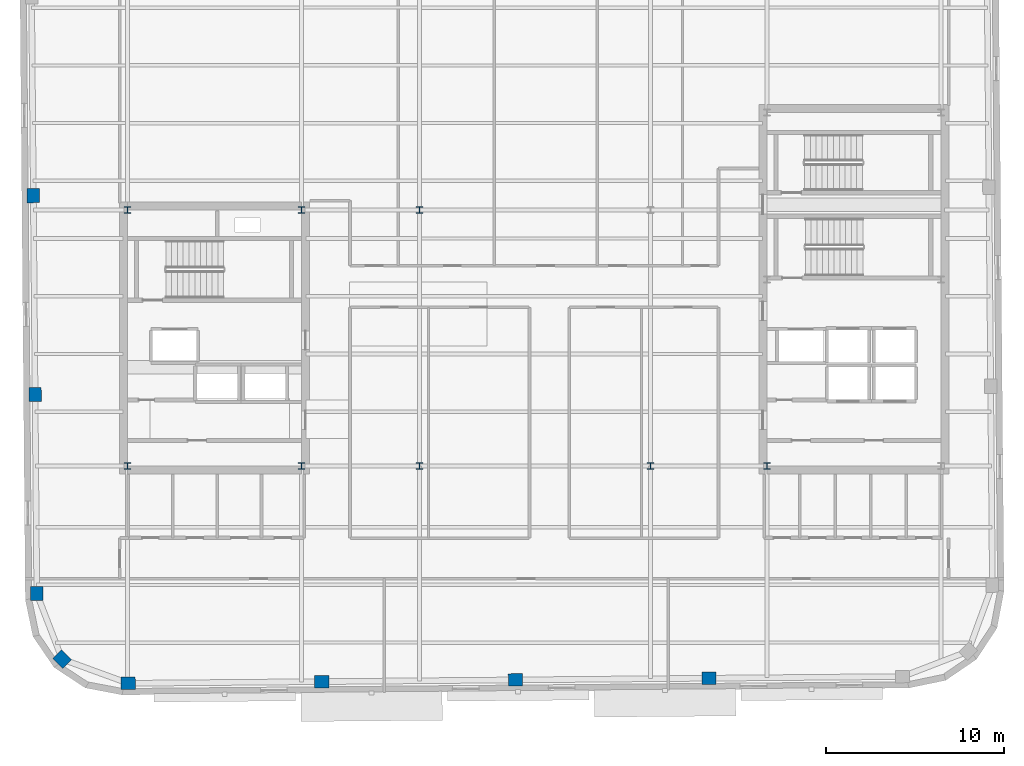
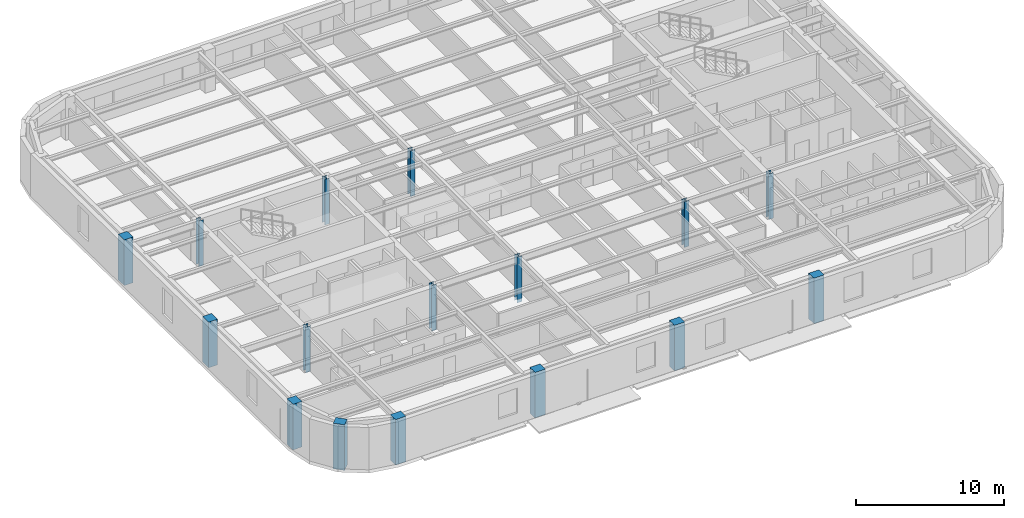
# One storey, part 1 of 13: 16 columns.
"""IFC4 building model written with IfcOpenShell, lengths in metres."""

from ifc_helpers import new_model, si_unit, direction, frame, origin, origin_2d, place, context, subcontext, project, spatial, rectangle, i_section, extrude, material, material_profile, profile_set, type_object, element, save


model = new_model("IFC4")

# Units and contexts
model_context = context("Model", 3, precision=1e-05, world=origin(), true_north=direction((0.0, 1.0)))
body_context = subcontext(model_context, "Body", "Model", "MODEL_VIEW")
ifc_project = project(units=[si_unit("LENGTHUNIT", "METRE"), si_unit("AREAUNIT", "SQUARE_METRE"), si_unit("VOLUMEUNIT", "CUBIC_METRE"), si_unit("PLANEANGLEUNIT", "RADIAN"), si_unit("MASSUNIT", "GRAM", prefix="KILO")], contexts=[model_context])

# Site, building, storey
site_placement = place(None, origin())
site = spatial("IfcSite", under=ifc_project, at=site_placement, CompositionType="ELEMENT")
building_placement = place(site_placement, origin())
building = spatial("IfcBuilding", under=site, at=building_placement, Name="Kolvaren Arena Tower", CompositionType="ELEMENT")
storey_placement = place(building_placement, frame((0.0, 0.0, 301.14990234375)))
storey = spatial("IfcBuildingStorey", under=building, at=storey_placement, Name="L74", CompositionType="ELEMENT", Elevation=301.14990234375)

# Columns
ifc_material_1 = material(Name="Precast concrete C50/60", Category="concrete")
ifc_material_profile_1 = material_profile(ifc_material_1, rectangle(XDim=0.800048828125, YDim=0.699951171875, at=origin_2d()), Name="RC-800x700")
ifc_profile_set_1 = profile_set([ifc_material_profile_1], Name="Precast concrete C50/60")
column_type_1 = type_object("IfcColumnType", Name="EXCOL-Z5", PredefinedType="COLUMN", material=ifc_profile_set_1)
for number, where, z_axis, x_axis, name in (
    (1, (14.591796875, 7.210693359375, -0.27001953125), (0.0, 0.0, 1.0), (0.999961923064, 0.008726535498, 0.0), "Exoskeleton Perimeter Column 01 (L74)"),
    (2, (25.491455078125, 7.3056640625, -0.27001953125), (0.0, 0.0, 1.0), (0.999961923064, 0.008726535498, 0.0), "Exoskeleton Perimeter Column 02 (L74)"),
    (3, (36.39111328125, 7.40087890625, -0.27001953125), (0.0, 0.0, 1.0), (0.999961923064, 0.008726535498, 0.0), "Exoskeleton Perimeter Column 03 (L74)"),
    (4, (47.290771484375, 7.49609375, -0.27001953125), (0.0, 0.0, 1.0), (0.999961923064, 0.008726535498, 0.0), "Exoskeleton Perimeter Column 04 (L74)"),
    (5, (9.252197265625, 34.6650390625, -0.27001953125), (0.0, 0.0, 1.0), (-0.008726535498, 0.999961923064, 0.0), "Exoskeleton Perimeter Column 19 (L74)"),
    (6, (9.349853515625, 23.465576171875, -0.27001953125), (0.0, 0.0, 1.0), (-0.008726535498, 0.999961923064, 0.0), "Exoskeleton Perimeter Column 20 (L74)"),
    (7, (9.447509765625, 12.265869140625, -0.27001953125), (0.0, 0.0, 1.0), (-0.008726535498, 0.999961923064, 0.0), "Exoskeleton Perimeter Column 21 (L74)"),
    (8, (10.87109375, 8.5693359375, -0.27001953125), (0.0, 0.0, 1.0), (-0.713250449154, 0.7009092643, 0.0), "Exoskeleton Perimeter Column 22 (L74)"),
):
    element("IfcColumn", number, at=place(storey_placement, frame(where, z_axis=z_axis, x_axis=x_axis)), inside=storey, type_object=column_type_1, Name=name, PredefinedType="COLUMN", context=body_context, shape_type="SweptSolid", body=[
        extrude(rectangle(XDim=0.800048828125, YDim=0.699951171875, at=origin_2d()), origin(), (0.0, 0.0, 1.0), 3.75),
    ])
ifc_material_2 = material(Name="Steel ASTM A913 Grade 65", Category="steel")
ifc_material_profile_2 = material_profile(ifc_material_2, i_section(OverallWidth=0.3740234375, OverallDepth=0.3720703125, WebThickness=0.016357421875, FlangeThickness=0.026123046875, FilletRadius=0.02001953125, at=origin_2d()), Name="W360x196")
ifc_profile_set_2 = profile_set([ifc_material_profile_2], Name="Steel ASTM A913 Grade 65")
column_type_2 = type_object("IfcColumnType", Name="SCOL-Z5", PredefinedType="COLUMN", material=ifc_profile_set_2)
for number, where, z_axis, x_axis, name in (
    (9, (14.550048828125, 19.449951171875, -0.27001953125), (0.0, 0.0, 1.0), (1.0, 0.0, 0.0), "Core Boundary Column WC-SW (L74)"),
    (10, (24.35009765625, 19.449951171875, -0.27001953125), (0.0, 0.0, 1.0), (1.0, 0.0, 0.0), "Core Boundary Column WC-SE (L74)"),
    (11, (14.550048828125, 33.85009765625, -0.27001953125), (0.0, 0.0, 1.0), (1.0, 0.0, 0.0), "Core Boundary Column WC-NW (L74)"),
    (12, (24.35009765625, 33.85009765625, -0.27001953125), (0.0, 0.0, 1.0), (1.0, 0.0, 0.0), "Core Boundary Column WC-NE (L74)"),
    (13, (50.550048828125, 19.449951171875, -0.27001953125), (0.0, 0.0, 1.0), (1.0, 0.0, 0.0), "Core Boundary Column EC-SW (L74)"),
    (14, (31.0, 19.449951171875, -0.27001953125), (0.0, 0.0, 1.0), (1.0, 0.0, 0.0), "Interior Gravity Column TC-SW (L74)"),
    (15, (44.0, 19.449951171875, -0.27001953125), (0.0, 0.0, 1.0), (1.0, 0.0, 0.0), "Interior Gravity Column TC-SE (L74)"),
    (16, (31.0, 33.85009765625, -0.27001953125), (0.0, 0.0, 1.0), (1.0, 0.0, 0.0), "Interior Gravity Column TC-NW (L74)"),
):
    element("IfcColumn", number, at=place(storey_placement, frame(where, z_axis=z_axis, x_axis=x_axis)), inside=storey, type_object=column_type_2, Name=name, PredefinedType="COLUMN", context=body_context, shape_type="SweptSolid", body=[
        extrude(i_section(OverallWidth=0.3740234375, OverallDepth=0.3720703125, WebThickness=0.016357421875, FlangeThickness=0.026123046875, FilletRadius=0.02001953125, at=origin_2d()), origin(), (0.0, 0.0, 1.0), 3.75),
    ])

save(model, "model.ifc")
